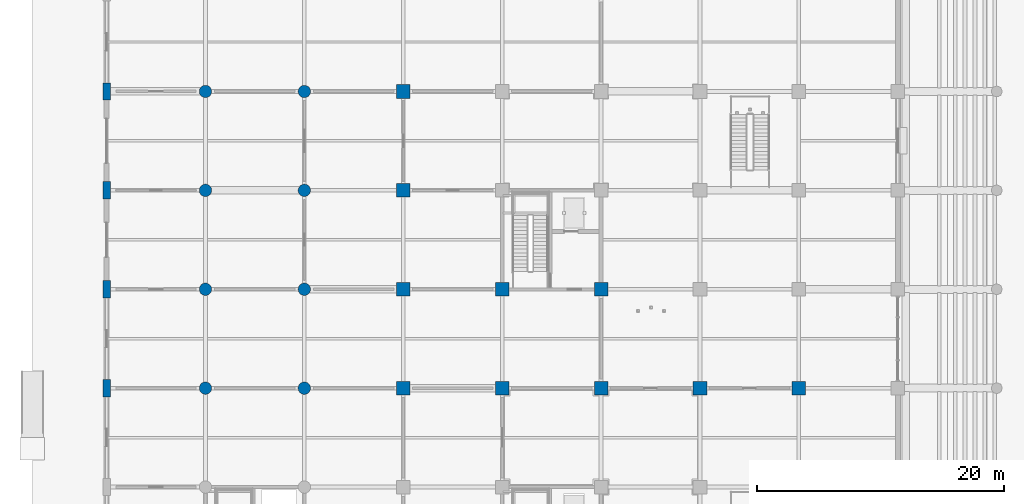
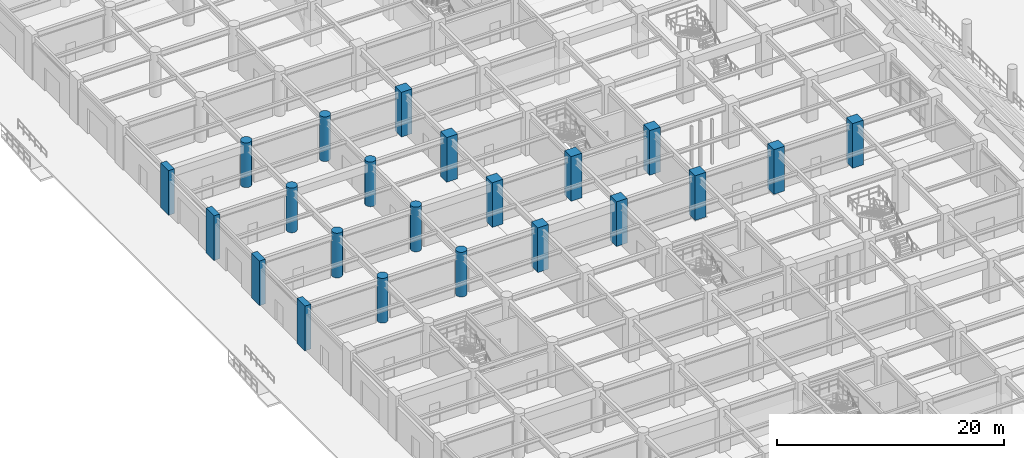
# One storey, part 7 of 125: 22 columns.
"""IFC4 building model written with IfcOpenShell, lengths in metres."""

from ifc_helpers import new_model, si_unit, direction, frame, origin, origin_2d, place, context, subcontext, project, spatial, rectangle, circle, extrude, material, material_profile, profile_set, type_object, element, save


model = new_model("IFC4")

# Units and contexts
model_context = context("Model", 3, precision=1e-05, world=origin(), true_north=direction((0.0, 1.0)))
body_context = subcontext(model_context, "Body", "Model", "MODEL_VIEW")
ifc_project = project(units=[si_unit("LENGTHUNIT", "METRE"), si_unit("AREAUNIT", "SQUARE_METRE"), si_unit("VOLUMEUNIT", "CUBIC_METRE"), si_unit("PLANEANGLEUNIT", "RADIAN"), si_unit("MASSUNIT", "GRAM", prefix="KILO")], contexts=[model_context])

# Site, building, storey
site_placement = place(None, origin())
site = spatial("IfcSite", under=ifc_project, at=site_placement, CompositionType="ELEMENT")
building_placement = place(site_placement, origin())
building = spatial("IfcBuilding", under=site, at=building_placement, Name="Haebicheon Civic Stadium", CompositionType="ELEMENT")
storey_placement = place(building_placement, origin())
storey = spatial("IfcBuildingStorey", under=building, at=storey_placement, Name="L01", CompositionType="ELEMENT", Elevation=0.0)

# Columns
ifc_material_1 = material(Name="Concrete C40/50", Category="concrete")
ifc_material_profile_1 = material_profile(ifc_material_1, rectangle(XDim=1.10009765625, YDim=1.10009765625, at=origin_2d()), Name="RC-COL-1100x1100")
ifc_profile_set_1 = profile_set([ifc_material_profile_1], Name="Concrete C40/50")
column_type_1 = type_object("IfcColumnType", Name="COL-RC-1100", PredefinedType="COLUMN", material=ifc_profile_set_1)
for number, where, z_axis, x_axis, name in (
    (1, (24.0, 96.0, 0.0), (0.0, 0.0, 1.0), (1.0, 0.0, 0.0), "L01 column 4/N"),
    (2, (24.0, 104.0, 0.0), (0.0, 0.0, 1.0), (1.0, 0.0, 0.0), "L01 column 4/P"),
    (3, (24.0, 112.0, 0.0), (0.0, 0.0, 1.0), (1.0, 0.0, 0.0), "L01 column 4/Q"),
    (4, (24.0, 120.0, 0.0), (0.0, 0.0, 1.0), (1.0, 0.0, 0.0), "L01 column 4/R"),
    (5, (32.0, 96.0, 0.0), (0.0, 0.0, 1.0), (1.0, 0.0, 0.0), "L01 column 5/N"),
    (6, (32.0, 104.0, 0.0), (0.0, 0.0, 1.0), (1.0, 0.0, 0.0), "L01 column 5/P"),
    (7, (40.0, 96.0, 0.0), (0.0, 0.0, 1.0), (1.0, 0.0, 0.0), "L01 column 6/N"),
    (8, (40.0, 104.0, 0.0), (0.0, 0.0, 1.0), (1.0, 0.0, 0.0), "L01 column 6/P"),
    (9, (48.0, 96.0, 0.0), (0.0, 0.0, 1.0), (1.0, 0.0, 0.0), "L01 column 7/N"),
    (10, (56.0, 96.0, 0.0), (0.0, 0.0, 1.0), (1.0, 0.0, 0.0), "L01 column 8/N"),
):
    element("IfcColumn", number, at=place(storey_placement, frame(where, z_axis=z_axis, x_axis=x_axis)), inside=storey, type_object=column_type_1, material=ifc_profile_set_1, Name=name, PredefinedType="COLUMN", context=body_context, shape_type="SweptSolid", body=[
        extrude(rectangle(XDim=1.10009765625, YDim=1.10009765625, at=origin_2d()), origin(), (0.0, 0.0, 1.0), 4.800048828125),
    ])
ifc_material_2 = material(Name="Concrete C40/50", Category="concrete")
ifc_material_profile_2 = material_profile(ifc_material_2, circle(Radius=0.5, at=origin_2d()), Name="RC-COL-D1000")
ifc_profile_set_2 = profile_set([ifc_material_profile_2], Name="Concrete C40/50")
column_type_2 = type_object("IfcColumnType", Name="COL-RC-D1000", PredefinedType="COLUMN", material=ifc_profile_set_2)
for number, where, z_axis, x_axis, name in (
    (11, (8.0, 96.0, 0.0), (0.0, 0.0, 1.0), (1.0, 0.0, 0.0), "L01 column 2/N"),
    (12, (8.0, 104.0, 0.0), (0.0, 0.0, 1.0), (1.0, 0.0, 0.0), "L01 column 2/P"),
    (13, (8.0, 112.0, 0.0), (0.0, 0.0, 1.0), (1.0, 0.0, 0.0), "L01 column 2/Q"),
    (14, (8.0, 120.0, 0.0), (0.0, 0.0, 1.0), (1.0, 0.0, 0.0), "L01 column 2/R"),
    (15, (16.0, 96.0, 0.0), (0.0, 0.0, 1.0), (1.0, 0.0, 0.0), "L01 column 3/N"),
    (16, (16.0, 104.0, 0.0), (0.0, 0.0, 1.0), (1.0, 0.0, 0.0), "L01 column 3/P"),
    (17, (16.0, 112.0, 0.0), (0.0, 0.0, 1.0), (1.0, 0.0, 0.0), "L01 column 3/Q"),
    (18, (16.0, 120.0, 0.0), (0.0, 0.0, 1.0), (1.0, 0.0, 0.0), "L01 column 3/R"),
):
    element("IfcColumn", number, at=place(storey_placement, frame(where, z_axis=z_axis, x_axis=x_axis)), inside=storey, type_object=column_type_2, material=ifc_profile_set_2, Name=name, PredefinedType="COLUMN", context=body_context, shape_type="SweptSolid", body=[
        extrude(circle(Radius=0.5, at=origin_2d()), origin(), (0.0, 0.0, 1.0), 4.800048828125),
    ])
ifc_material_3 = material(Name="Concrete C40/50", Category="concrete")
ifc_material_profile_3 = material_profile(ifc_material_3, rectangle(XDim=0.60009765625, YDim=1.39990234375, at=origin_2d()), Name="RC-PIL-600x1400")
ifc_profile_set_3 = profile_set([ifc_material_profile_3], Name="Concrete C40/50")
column_type_3 = type_object("IfcColumnType", Name="PIL-RC-600x1400", PredefinedType="PILASTER", material=ifc_profile_set_3)
for number, where, z_axis, x_axis, name in (
    (19, (0.0, 96.0, 0.0), (0.0, 0.0, 1.0), (1.0, 0.0, 0.0), "L01 column 1/N"),
    (20, (0.0, 104.0, 0.0), (0.0, 0.0, 1.0), (1.0, 0.0, 0.0), "L01 column 1/P"),
    (21, (0.0, 112.0, 0.0), (0.0, 0.0, 1.0), (1.0, 0.0, 0.0), "L01 column 1/Q"),
    (22, (0.0, 120.0, 0.0), (0.0, 0.0, 1.0), (1.0, 0.0, 0.0), "L01 column 1/R"),
):
    element("IfcColumn", number, at=place(storey_placement, frame(where, z_axis=z_axis, x_axis=x_axis)), inside=storey, type_object=column_type_3, material=ifc_profile_set_3, Name=name, PredefinedType="PILASTER", context=body_context, shape_type="SweptSolid", body=[
        extrude(rectangle(XDim=0.60009765625, YDim=1.39990234375, at=origin_2d()), origin(), (0.0, 0.0, 1.0), 4.800048828125),
    ])

save(model, "model.ifc")
